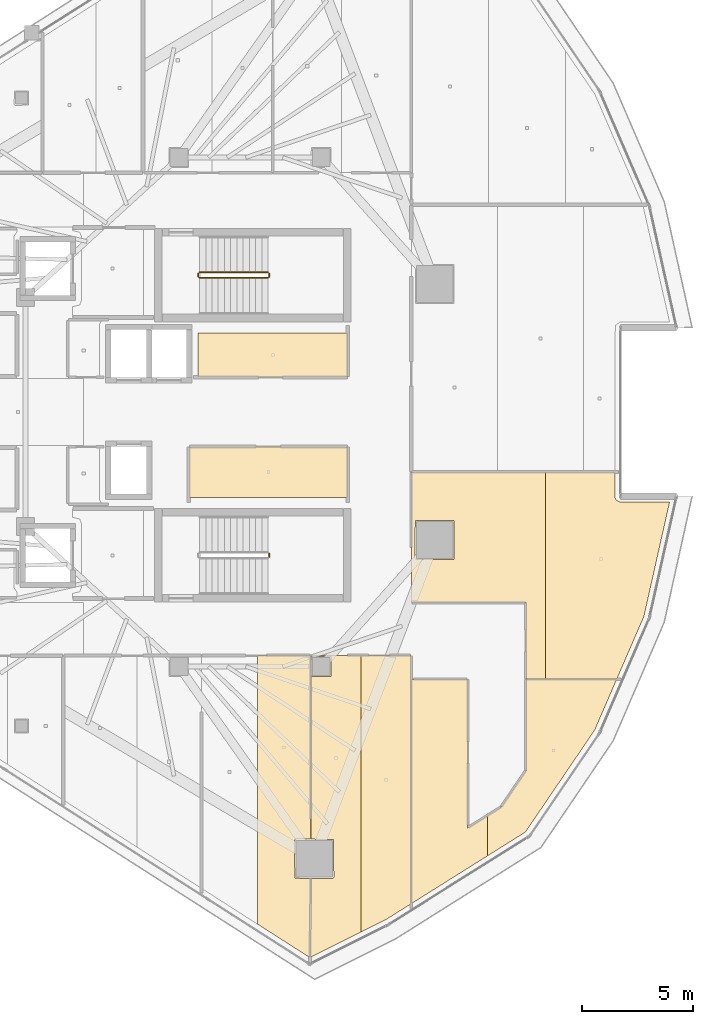
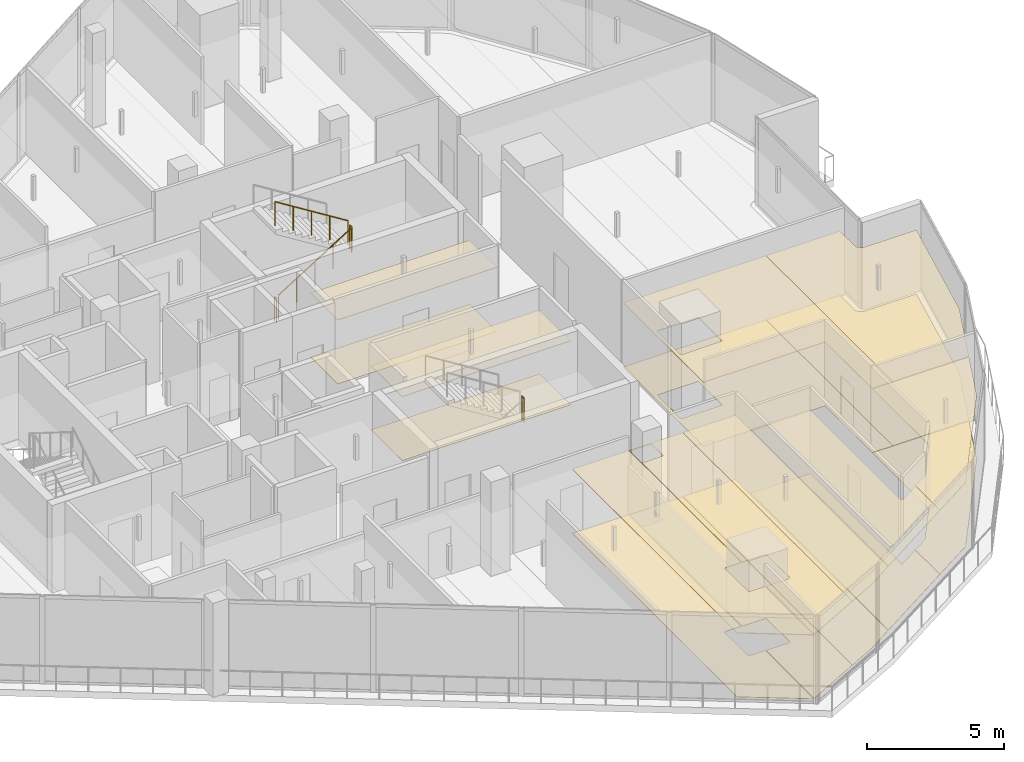
# One storey, part 32 of 33: 18 coverings, 5 railings.
"""IFC4 building model written with IfcOpenShell, lengths in metres."""

from ifc_helpers import new_model, si_unit, direction, frame, origin, origin_2d, place, context, subcontext, project, spatial, polyline, circle, outline, extrude, material, layer, layer_set, type_object, element, save


model = new_model("IFC4")

# Units and contexts
model_context = context("Model", 3, precision=1e-05, world=origin(), true_north=direction((0.0, 1.0)))
body_context = subcontext(model_context, "Body", "Model", "MODEL_VIEW")
ifc_project = project(units=[si_unit("LENGTHUNIT", "METRE"), si_unit("AREAUNIT", "SQUARE_METRE"), si_unit("VOLUMEUNIT", "CUBIC_METRE"), si_unit("PLANEANGLEUNIT", "RADIAN"), si_unit("MASSUNIT", "GRAM", prefix="KILO")], contexts=[model_context])

# Site, building, storey
site_placement = place(None, origin())
site = spatial("IfcSite", under=ifc_project, at=site_placement, CompositionType="ELEMENT")
building_placement = place(site_placement, origin())
building = spatial("IfcBuilding", under=site, at=building_placement, Name="Qorvath Tower", CompositionType="ELEMENT")
storey_placement = place(building_placement, frame((0.0, 0.0, 280.800048828125)))
storey = spatial("IfcBuildingStorey", under=building, at=storey_placement, Name="L65", CompositionType="ELEMENT", Elevation=280.800048828125)

# Coverings
ifc_material_1 = material(Name="Acoustic mineral fibre ceiling tile", Category="gypsum")
ifc_layer_1 = layer(ifc_material_1, 0.030029296875)
ifc_layer_set_1 = layer_set([ifc_layer_1], Name="COV-CEIL")
covering_type_1 = type_object("IfcCoveringType", Name="COV-CEIL", PredefinedType="CEILING", material=ifc_layer_set_1)
covering_1_placement = place(storey_placement, frame((0.0, 0.0, 2.849853515625)))
element("IfcCovering", 1, at=covering_1_placement, inside=storey, type_object=covering_type_1, Name="L65 Suspended Acoustic Ceiling 003", PredefinedType="CEILING", context=body_context, shape_type="SweptSolid", body=[
    extrude(outline(polyline([(-16.0048828125, 3.56005859375), (-22.739990234375, 3.56005859375), (-22.739990234375, 1.56494140625), (-16.0048828125, 1.56494140625), (-16.0048828125, 3.56005859375)])), origin(), (0.0, 0.0, 1.0), 0.030029296875),
])
covering_2_placement = place(storey_placement, frame((0.0, 0.0, 2.849853515625)))
element("IfcCovering", 2, at=covering_2_placement, inside=storey, type_object=covering_type_1, Name="L65 Suspended Acoustic Ceiling 004", PredefinedType="CEILING", context=body_context, shape_type="SweptSolid", body=[
    extrude(outline(polyline([(-23.14501953125, -3.85009765625), (-16.0048828125, -3.85009765625), (-16.0048828125, -1.56494140625), (-23.14501953125, -1.56494140625), (-23.14501953125, -3.85009765625)])), origin(), (0.0, 0.0, 1.0), 0.030029296875),
])
covering_3_placement = place(storey_placement, frame((0.0, 0.0, 2.849853515625)))
element("IfcCovering", 3, at=covering_3_placement, inside=storey, type_object=covering_type_1, Name="L65 Suspended Acoustic Ceiling 026", PredefinedType="CEILING", context=body_context, shape_type="SweptSolid", body=[
    extrude(outline(polyline([(-20.06689453125, -10.962890625), (-20.06689453125, -23.035888671875), (-17.71044921875, -24.541748046875), (-17.68115234375, -20.986572265625), (-18.3828125, -20.968994140625), (-18.400390625, -19.276611328125), (-18.340576171875, -19.216552734375), (-17.680908203125, -19.216552734375), (-17.680908203125, -10.962890625), (-20.06689453125, -10.962890625)])), origin(), (0.0, 0.0, 1.0), 0.030029296875),
])
covering_4_placement = place(storey_placement, frame((0.0, 0.0, 2.849853515625)))
element("IfcCovering", 4, at=covering_4_placement, inside=storey, type_object=covering_type_1, Name="L65 Suspended Acoustic Ceiling 027", PredefinedType="CEILING", context=body_context, shape_type="SweptSolid", body=[
    extrude(outline(polyline([(-17.6630859375, -20.986572265625), (-17.6708984375, -24.52783203125), (-15.398193359375, -23.3916015625), (-15.398193359375, -10.962890625), (-17.662841796875, -10.962890625), (-17.662841796875, -19.216552734375), (-16.648193359375, -19.234130859375), (-16.630615234375, -20.926513671875), (-16.6904296875, -20.986572265625), (-17.6630859375, -20.986572265625)]), holes=[polyline([(-17.659912109375, -11.85009765625), (-17.642333984375, -11.007568359375), (-16.757568359375, -11.007568359375), (-16.757568359375, -11.892333984375), (-17.60009765625, -11.909912109375), (-17.659912109375, -11.85009765625)])]), origin(), (0.0, 0.0, 1.0), 0.030029296875),
])
covering_5_placement = place(storey_placement, frame((0.0, 0.0, 2.849853515625)))
element("IfcCovering", 5, at=covering_5_placement, inside=storey, type_object=covering_type_1, Name="L65 Suspended Acoustic Ceiling 028", PredefinedType="CEILING", context=body_context, shape_type="SweptSolid", body=[
    extrude(outline(polyline([(-15.398193359375, -10.962890625), (-15.398193359375, -23.3916015625), (-14.29736328125, -22.84130859375), (-13.155029296875, -22.12451171875), (-13.155029296875, -10.962890625), (-15.398193359375, -10.962890625)])), origin(), (0.0, 0.0, 1.0), 0.030029296875),
])
covering_6_placement = place(storey_placement, frame((0.0, 0.0, 2.849853515625)))
element("IfcCovering", 6, at=covering_6_placement, inside=storey, type_object=covering_type_1, Name="L65 Suspended Acoustic Ceiling 029", PredefinedType="CEILING", context=body_context, shape_type="SweptSolid", body=[
    extrude(outline(polyline([(-13.136962890625, -12.0234375), (-13.136962890625, -22.113037109375), (-9.726318359375, -19.97314453125), (-9.726318359375, -18.163818359375), (-10.608642578125, -18.716796875), (-10.613037109375, -12.0234375), (-13.136962890625, -12.0234375)])), origin(), (0.0, 0.0, 1.0), 0.030029296875),
])
covering_7_placement = place(storey_placement, frame((0.0, 0.0, 2.849853515625)))
element("IfcCovering", 7, at=covering_7_placement, inside=storey, type_object=covering_type_1, Name="L65 Suspended Acoustic Ceiling 030", PredefinedType="CEILING", context=body_context, shape_type="SweptSolid", body=[
    extrude(outline(polyline([(-9.726318359375, -18.163818359375), (-9.726318359375, -19.97314453125), (-8.012451171875, -18.897705078125), (-4.89697265625, -14.3115234375), (-3.906005859375, -12.0234375), (-7.987060546875, -12.0234375), (-7.98779296875, -16.13525390625), (-9.098388671875, -17.77001953125), (-9.726318359375, -18.163818359375)])), origin(), (0.0, 0.0, 1.0), 0.030029296875),
])
covering_8_placement = place(storey_placement, frame((0.0, 0.0, 2.849853515625)))
element("IfcCovering", 8, at=covering_8_placement, inside=storey, type_object=covering_type_1, Name="L65 Suspended Acoustic Ceiling 031", PredefinedType="CEILING", context=body_context, shape_type="SweptSolid", body=[
    extrude(outline(polyline([(-7.116455078125, -12.00537109375), (-7.116455078125, -2.70751953125), (-13.136962890625, -2.70751953125), (-13.136962890625, -8.56689453125), (-7.991943359375, -8.56689453125), (-7.987060546875, -12.00537109375), (-7.116455078125, -12.00537109375)]), holes=[polyline([(-12.981689453125, -6.5830078125), (-12.964111328125, -4.890380859375), (-11.2294921875, -4.890380859375), (-11.2294921875, -6.625244140625), (-12.921875, -6.642822265625), (-12.981689453125, -6.5830078125)])]), origin(), (0.0, 0.0, 1.0), 0.030029296875),
])
covering_9_placement = place(storey_placement, frame((0.0, 0.0, 2.849853515625)))
element("IfcCovering", 9, at=covering_9_placement, inside=storey, type_object=covering_type_1, Name="L65 Suspended Acoustic Ceiling 032", PredefinedType="CEILING", context=body_context, shape_type="SweptSolid", body=[
    extrude(outline(polyline([(-3.9150390625, -3.969970703125), (-3.984130859375, -3.839599609375), (-3.98876953125, -2.70751953125), (-7.116455078125, -2.70751953125), (-7.116455078125, -12.00537109375), (-3.898193359375, -12.00537109375), (-2.681640625, -9.19677734375), (-1.525390625, -4.0458984375), (-3.75830078125, -4.044677734375), (-3.9150390625, -3.969970703125)])), origin(), (0.0, 0.0, 1.0), 0.030029296875),
])
ifc_material_2 = material(Name="Low-VOC modular carpet tile", Category="textile")
ifc_layer_2 = layer(ifc_material_2, 0.014892578125)
ifc_layer_set_2 = layer_set([ifc_layer_2], Name="COV-FLOOR-CPT")
covering_type_2 = type_object("IfcCoveringType", Name="COV-FLOOR-CPT", PredefinedType="FLOORING", material=ifc_layer_set_2)
covering_10_placement = place(storey_placement, origin())
element("IfcCovering", 10, at=covering_10_placement, inside=storey, type_object=covering_type_2, Name="L65 Floor Finish 003", PredefinedType="FLOORING", context=body_context, shape_type="SweptSolid", body=[
    extrude(outline(polyline([(-16.0048828125, 3.56005859375), (-22.739990234375, 3.56005859375), (-22.739990234375, 1.56494140625), (-16.0048828125, 1.56494140625), (-16.0048828125, 3.56005859375)])), origin(), (0.0, 0.0, 1.0), 0.014892578125),
])
covering_11_placement = place(storey_placement, origin())
element("IfcCovering", 11, at=covering_11_placement, inside=storey, type_object=covering_type_2, Name="L65 Floor Finish 004", PredefinedType="FLOORING", context=body_context, shape_type="SweptSolid", body=[
    extrude(outline(polyline([(-23.14501953125, -3.85009765625), (-16.0048828125, -3.85009765625), (-16.0048828125, -1.56494140625), (-23.14501953125, -1.56494140625), (-23.14501953125, -3.85009765625)])), origin(), (0.0, 0.0, 1.0), 0.014892578125),
])
covering_12_placement = place(storey_placement, origin())
element("IfcCovering", 12, at=covering_12_placement, inside=storey, type_object=covering_type_2, Name="L65 Floor Finish 026", PredefinedType="FLOORING", context=body_context, shape_type="SweptSolid", body=[
    extrude(outline(polyline([(-20.06689453125, -10.962890625), (-20.06689453125, -23.035888671875), (-17.71044921875, -24.541748046875), (-17.68115234375, -20.986572265625), (-18.3828125, -20.968994140625), (-18.400390625, -19.276611328125), (-18.340576171875, -19.216552734375), (-17.680908203125, -19.216552734375), (-17.680908203125, -10.962890625), (-20.06689453125, -10.962890625)])), origin(), (0.0, 0.0, 1.0), 0.014892578125),
])
covering_13_placement = place(storey_placement, origin())
element("IfcCovering", 13, at=covering_13_placement, inside=storey, type_object=covering_type_2, Name="L65 Floor Finish 027", PredefinedType="FLOORING", context=body_context, shape_type="SweptSolid", body=[
    extrude(outline(polyline([(-17.6630859375, -20.986572265625), (-17.6708984375, -24.52783203125), (-15.398193359375, -23.3916015625), (-15.398193359375, -10.962890625), (-17.662841796875, -10.962890625), (-17.662841796875, -19.216552734375), (-16.648193359375, -19.234130859375), (-16.630615234375, -20.926513671875), (-16.6904296875, -20.986572265625), (-17.6630859375, -20.986572265625)]), holes=[polyline([(-17.659912109375, -11.85009765625), (-17.642333984375, -11.007568359375), (-16.757568359375, -11.007568359375), (-16.757568359375, -11.892333984375), (-17.60009765625, -11.909912109375), (-17.659912109375, -11.85009765625)])]), origin(), (0.0, 0.0, 1.0), 0.014892578125),
])
covering_14_placement = place(storey_placement, origin())
element("IfcCovering", 14, at=covering_14_placement, inside=storey, type_object=covering_type_2, Name="L65 Floor Finish 028", PredefinedType="FLOORING", context=body_context, shape_type="SweptSolid", body=[
    extrude(outline(polyline([(-15.398193359375, -10.962890625), (-15.398193359375, -23.3916015625), (-14.29736328125, -22.84130859375), (-13.155029296875, -22.12451171875), (-13.155029296875, -10.962890625), (-15.398193359375, -10.962890625)])), origin(), (0.0, 0.0, 1.0), 0.014892578125),
])
covering_15_placement = place(storey_placement, origin())
element("IfcCovering", 15, at=covering_15_placement, inside=storey, type_object=covering_type_2, Name="L65 Floor Finish 029", PredefinedType="FLOORING", context=body_context, shape_type="SweptSolid", body=[
    extrude(outline(polyline([(-13.136962890625, -12.0234375), (-13.136962890625, -22.113037109375), (-9.726318359375, -19.97314453125), (-9.726318359375, -18.163818359375), (-10.608642578125, -18.716796875), (-10.613037109375, -12.0234375), (-13.136962890625, -12.0234375)])), origin(), (0.0, 0.0, 1.0), 0.014892578125),
])
covering_16_placement = place(storey_placement, origin())
element("IfcCovering", 16, at=covering_16_placement, inside=storey, type_object=covering_type_2, Name="L65 Floor Finish 030", PredefinedType="FLOORING", context=body_context, shape_type="SweptSolid", body=[
    extrude(outline(polyline([(-9.726318359375, -18.163818359375), (-9.726318359375, -19.97314453125), (-8.012451171875, -18.897705078125), (-4.89697265625, -14.3115234375), (-3.906005859375, -12.0234375), (-7.987060546875, -12.0234375), (-7.98779296875, -16.13525390625), (-9.098388671875, -17.77001953125), (-9.726318359375, -18.163818359375)])), origin(), (0.0, 0.0, 1.0), 0.014892578125),
])
covering_17_placement = place(storey_placement, origin())
element("IfcCovering", 17, at=covering_17_placement, inside=storey, type_object=covering_type_2, Name="L65 Floor Finish 031", PredefinedType="FLOORING", context=body_context, shape_type="SweptSolid", body=[
    extrude(outline(polyline([(-7.116455078125, -12.00537109375), (-7.116455078125, -2.70751953125), (-13.136962890625, -2.70751953125), (-13.136962890625, -8.56689453125), (-7.991943359375, -8.56689453125), (-7.987060546875, -12.00537109375), (-7.116455078125, -12.00537109375)]), holes=[polyline([(-12.981689453125, -6.5830078125), (-12.964111328125, -4.890380859375), (-11.2294921875, -4.890380859375), (-11.2294921875, -6.625244140625), (-12.921875, -6.642822265625), (-12.981689453125, -6.5830078125)])]), origin(), (0.0, 0.0, 1.0), 0.014892578125),
])
covering_18_placement = place(storey_placement, origin())
element("IfcCovering", 18, at=covering_18_placement, inside=storey, type_object=covering_type_2, Name="L65 Floor Finish 032", PredefinedType="FLOORING", context=body_context, shape_type="SweptSolid", body=[
    extrude(outline(polyline([(-3.9150390625, -3.969970703125), (-3.984130859375, -3.839599609375), (-3.98876953125, -2.70751953125), (-7.116455078125, -2.70751953125), (-7.116455078125, -12.00537109375), (-3.898193359375, -12.00537109375), (-2.681640625, -9.19677734375), (-1.525390625, -4.0458984375), (-3.75830078125, -4.044677734375), (-3.9150390625, -3.969970703125)])), origin(), (0.0, 0.0, 1.0), 0.014892578125),
])

# Railings
ifc_material_3 = material(Name="Painted galvanised steel", Category="steel")
railing_type = type_object("IfcRailingType", Name="RL-STR-GRD", PredefinedType="GUARDRAIL", material=ifc_material_3)
railing_1_placement = place(storey_placement, frame((-22.669921875, 6.030029296875, 0.175048828125)))
element("IfcRailing", 19, at=railing_1_placement, inside=storey, type_object=railing_type, Name="L65 TS1 stair guard 1", PredefinedType="GUARDRAIL", context=body_context, shape_type="SweptSolid", body=[
    extrude(circle(Radius=0.02392578125, at=origin_2d()), frame((0.0, 0.0, 1.076171875), z_axis=(0.848009633417, 0.0, 0.529980812513), x_axis=(0.0, 1.0, 0.0)), (0.0, 0.0, 1.0), 3.6318359375),
    extrude(circle(Radius=0.02099609375, at=origin_2d()), origin(), (0.0, 0.0, 1.0), 1.052001953125),
    extrude(circle(Radius=0.02099609375, at=origin_2d()), frame((0.77001953125, 0.0, 0.481201171875)), (0.0, 0.0, 1.0), 1.052001953125),
    extrude(circle(Radius=0.02099609375, at=origin_2d()), frame((1.5400390625, 0.0, 0.96240234375)), (0.0, 0.0, 1.0), 1.052001953125),
    extrude(circle(Radius=0.02099609375, at=origin_2d()), frame((2.309814453125, 0.0, 1.443603515625)), (0.0, 0.0, 1.0), 1.052001953125),
    extrude(circle(Radius=0.02099609375, at=origin_2d()), frame((3.079833984375, 0.0, 1.9248046875)), (0.0, 0.0, 1.0), 1.052001953125),
])
railing_2_placement = place(storey_placement, frame((-19.5400390625, 6.080078125, 2.099853515625)))
element("IfcRailing", 20, at=railing_2_placement, inside=storey, type_object=railing_type, Name="L65 TS1 stair guard 2", PredefinedType="GUARDRAIL", context=body_context, shape_type="SweptSolid", body=[
    extrude(circle(Radius=0.02392578125, at=origin_2d()), frame((0.0, 0.0, 1.076171875), z_axis=(0.0, 1.0, 0.0), x_axis=(-1.0, 0.0, 0.0)), (0.0, 0.0, 1.0), 0.14990234375),
    extrude(circle(Radius=0.02099609375, at=origin_2d()), origin(), (0.0, 0.0, 1.0), 1.052001953125),
    extrude(circle(Radius=0.02099609375, at=origin_2d()), frame((0.0, 0.14990234375, 0.0)), (0.0, 0.0, 1.0), 1.052001953125),
])
railing_3_placement = place(storey_placement, frame((-19.590087890625, 6.280029296875, 2.27490234375)))
element("IfcRailing", 21, at=railing_3_placement, inside=storey, type_object=railing_type, Name="L65 TS1 stair guard 3", PredefinedType="GUARDRAIL", context=body_context, shape_type="SweptSolid", body=[
    extrude(circle(Radius=0.02392578125, at=origin_2d()), frame((0.0, 0.0, 1.076171875), z_axis=(-0.847979421464, 0.0, 0.530029150871), x_axis=(0.0, -1.0, 0.0)), (0.0, 0.0, 1.0), 3.632080078125),
    extrude(circle(Radius=0.02099609375, at=origin_2d()), origin(), (0.0, 0.0, 1.0), 1.052001953125),
    extrude(circle(Radius=0.02099609375, at=origin_2d()), frame((-0.77001953125, 0.0, 0.481201171875)), (0.0, 0.0, 1.0), 1.052001953125),
    extrude(circle(Radius=0.02099609375, at=origin_2d()), frame((-1.5400390625, 0.0, 0.96240234375)), (0.0, 0.0, 1.0), 1.052001953125),
    extrude(circle(Radius=0.02099609375, at=origin_2d()), frame((-2.309814453125, 0.0, 1.44384765625)), (0.0, 0.0, 1.0), 1.052001953125),
    extrude(circle(Radius=0.02099609375, at=origin_2d()), frame((-3.079833984375, 0.0, 1.925048828125)), (0.0, 0.0, 1.0), 1.052001953125),
])
for number, where, name in (
    (22, (-22.719970703125, 6.080078125, 0.0), "L65 TS1 stair guard 4"),
    (23, (-19.5400390625, -6.52001953125, 2.099853515625), "L65 TS2 stair guard 2"),
):
    element("IfcRailing", number, at=place(storey_placement, frame(where)), inside=storey, type_object=railing_type, Name=name, PredefinedType="GUARDRAIL", context=body_context, shape_type="SweptSolid", body=[
        extrude(circle(Radius=0.02392578125, at=origin_2d()), frame((0.0, 0.0, 1.076171875), z_axis=(0.0, 1.0, 0.0), x_axis=(-1.0, 0.0, 0.0)), (0.0, 0.0, 1.0), 0.14990234375),
        extrude(circle(Radius=0.02099609375, at=origin_2d()), origin(), (0.0, 0.0, 1.0), 1.052001953125),
        extrude(circle(Radius=0.02099609375, at=origin_2d()), frame((0.0, 0.14990234375, 0.0)), (0.0, 0.0, 1.0), 1.052001953125),
    ])

save(model, "model.ifc")
